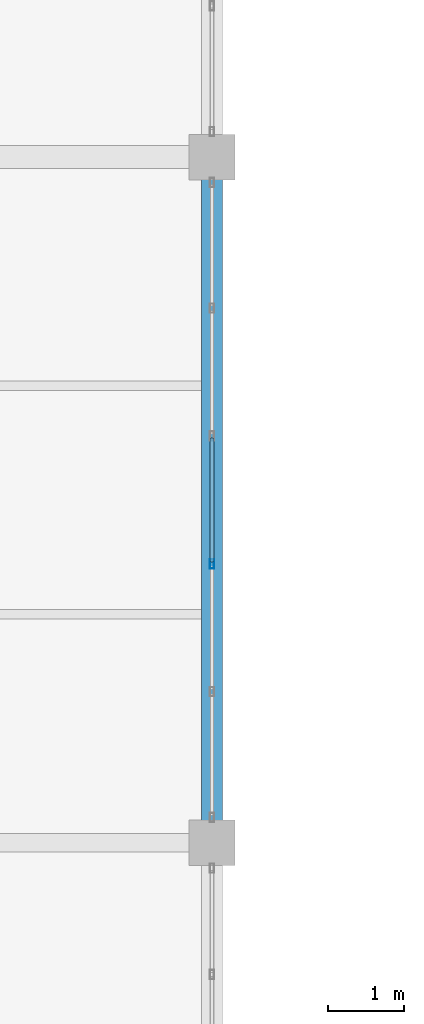
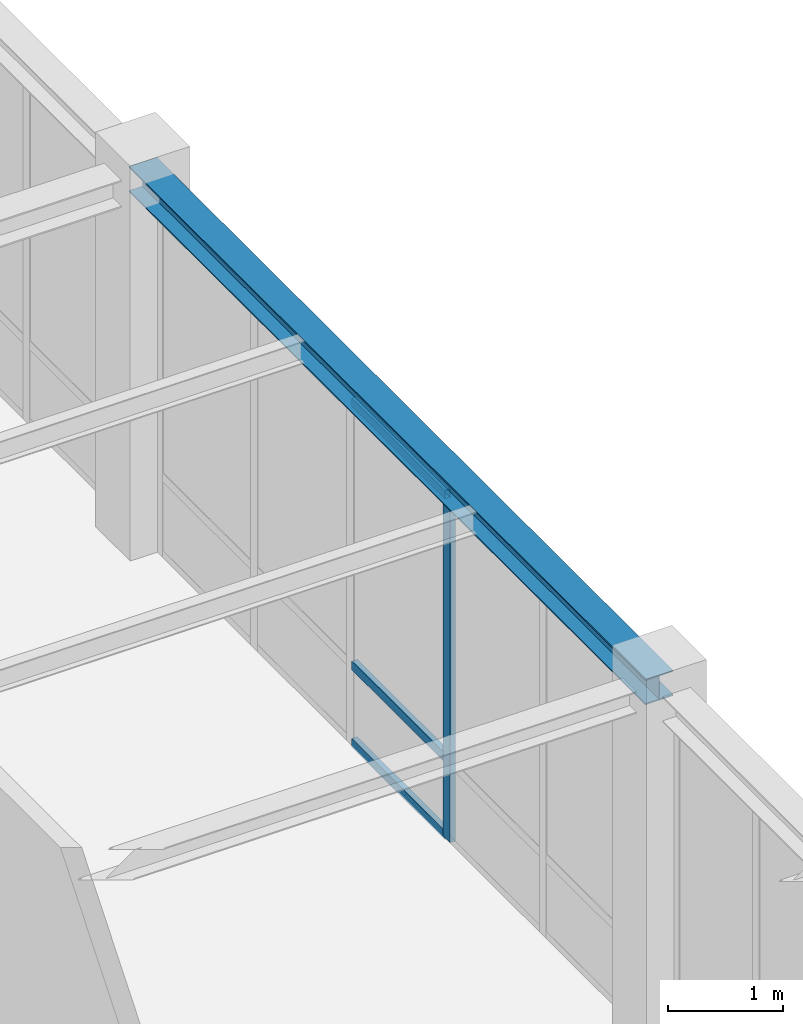
# One storey, part 22 of 97: 4 members, 1 beam, 1 element without a shape of its own.
"""IFC4 building model written with IfcOpenShell, lengths in metres."""

import ifcopenshell
import ifcopenshell.guid

model = None  # the IFC model being written
_history = None  # IfcOwnerHistory: only IFC2X3 demands one
_inside = {}  # id of a spatial element -> (the spatial element, [elements in it])
_under = {}  # id of a project, library or spatial element -> (it, [spatial elements below it])
_declared = {}  # id of a project -> (the project, [libraries it declares])
_typed = {}  # id of a type object -> (the type object, [elements of that type])
_made_of = {}  # id of a material, layer set ... -> (it, [elements and type objects made of it])


def new_model(schema):
    """Start an empty IFC model of exactly this schema.

    Asked for "IFC4X3", IfcOpenShell would pick the latest addendum, in which some entities
    have other attributes; the version numbers below select the first issue.
    IFC2X3 requires an IfcOwnerHistory on every rooted entity: one is made here for all.
    """
    global model, _history
    if schema == "IFC4X3":
        model = ifcopenshell.file(schema_version=(4, 3, 0, 0))
    else:
        model = ifcopenshell.file(schema=schema)
    _inside.clear()
    _under.clear()
    _declared.clear()
    _typed.clear()
    _made_of.clear()
    _history = None
    if model.schema == "IFC2X3":
        org = make("IfcOrganization", Name="unknown")
        user = make(
            "IfcPersonAndOrganization",
            ThePerson=make("IfcPerson", FamilyName="unknown"),
            TheOrganization=org,
        )
        app = make(
            "IfcApplication",
            ApplicationDeveloper=org,
            Version="unknown",
            ApplicationFullName="unknown",
            ApplicationIdentifier="unknown",
        )
        _history = make(
            "IfcOwnerHistory",
            OwningUser=user,
            OwningApplication=app,
            ChangeAction="ADDED",
            CreationDate=0,
        )
    return model


def make(cls, **values):
    """One entity of the class cls with the attributes given. An attribute that is None is left unset."""
    return model.create_entity(
        cls, **{name: value for name, value in values.items() if value is not None}
    )


def rooted(cls, **values):
    """An entity with a GlobalId (a new one), such as an element, a storey or a relation."""
    return make(cls, GlobalId=ifcopenshell.guid.new(), OwnerHistory=_history, **values)


def si_unit(unit_type, name, prefix=None):
    """IfcSIUnit, for example si_unit("LENGTHUNIT", "METRE", prefix="MILLI")."""
    return make("IfcSIUnit", UnitType=unit_type, Prefix=prefix, Name=name)


def assignment(units):
    """IfcUnitAssignment: the units of a project."""
    return None if units is None else make("IfcUnitAssignment", Units=units)


def point(xyz):
    """IfcCartesianPoint."""
    return None if xyz is None else make("IfcCartesianPoint", Coordinates=xyz)


def direction(xyz):
    """IfcDirection."""
    return None if xyz is None else make("IfcDirection", DirectionRatios=xyz)


def frame(location, z_axis=None, x_axis=None):
    """IfcAxis2Placement3D, a coordinate frame: its origin and axes. An axis left out is left unset."""
    return make(
        "IfcAxis2Placement3D",
        Location=point(location),
        Axis=direction(z_axis),
        RefDirection=direction(x_axis),
    )


def frame_2d(location, x_axis=None):
    """IfcAxis2Placement2D, a coordinate frame in the plane: its origin and x axis."""
    return make(
        "IfcAxis2Placement2D", Location=point(location), RefDirection=direction(x_axis)
    )


def origin():
    """The frame at (0, 0, 0) with its axes left unset."""
    return frame((0.0, 0.0, 0.0))


def origin_2d():
    """The frame at (0, 0) in the plane with its x axis left unset."""
    return frame_2d((0.0, 0.0))


def place(relative_to, where):
    """IfcLocalPlacement: puts the frame where relative to a parent placement (None: the world)."""
    return make(
        "IfcLocalPlacement", PlacementRelTo=relative_to, RelativePlacement=where
    )


def context(
    kind, dimensions, precision=None, world=None, true_north=None, identifier=None
):
    """IfcGeometricRepresentationContext, for example the 3D "Model" context."""
    return make(
        "IfcGeometricRepresentationContext",
        ContextIdentifier=identifier,
        ContextType=kind,
        CoordinateSpaceDimension=dimensions,
        Precision=precision,
        WorldCoordinateSystem=world,
        TrueNorth=true_north,
    )


def subcontext(parent, identifier, kind, view, scale=None):
    """IfcGeometricRepresentationSubContext, for example "Body" below "Model"."""
    return make(
        "IfcGeometricRepresentationSubContext",
        ContextIdentifier=identifier,
        ContextType=kind,
        ParentContext=parent,
        TargetScale=scale,
        TargetView=view,
    )


def project(units=None, contexts=None):
    """IfcProject with its units and contexts."""
    return rooted(
        "IfcProject",
        Name="project",
        RepresentationContexts=contexts,
        UnitsInContext=assignment(units),
    )


def spatial(cls, under=None, at=None, **own):
    """A site, building, storey or space (cls), placed at a placement, below another one or the project."""
    s = rooted(cls, ObjectPlacement=at, **own)
    if under is not None:
        _under.setdefault(under.id(), (under, []))[1].append(s)
    return s


def profile(cls, at=None, kind="AREA", **sizes):
    """A parametric profile (cls). Its sizes go by their IFC names, for example OverallWidth=200.0."""
    return make(cls, ProfileType=kind, Position=at, **sizes)


def hollow_rectangle(**sizes):
    """IfcRectangleHollowProfileDef."""
    return profile("IfcRectangleHollowProfileDef", **sizes)


def i_section(**sizes):
    """IfcIShapeProfileDef."""
    return profile("IfcIShapeProfileDef", **sizes)


def extrude(swept, where, along, depth):
    """IfcExtrudedAreaSolid: the profile swept, set in the frame where, extruded along a direction by depth."""
    return make(
        "IfcExtrudedAreaSolid",
        SweptArea=swept,
        Position=where,
        ExtrudedDirection=direction(along),
        Depth=depth,
    )


def shape(context_of_items, identifier, shape_type, items):
    """IfcShapeRepresentation: the items that make up one representation, for example the "Body"."""
    return make(
        "IfcShapeRepresentation",
        ContextOfItems=context_of_items,
        RepresentationIdentifier=identifier,
        RepresentationType=shape_type,
        Items=items,
    )


def material(Name=None, Category=None):
    """IfcMaterial."""
    return make("IfcMaterial", Name=Name, Category=Category)


def material_profile(
    of_material, cross_section, Name=None, Category=None, Priority=None
):
    """IfcMaterialProfile: a cross section and its material."""
    return make(
        "IfcMaterialProfile",
        Name=Name,
        Material=of_material,
        Profile=cross_section,
        Priority=Priority,
        Category=Category,
    )


def profile_set(profiles, Name=None, composite=None):
    """IfcMaterialProfileSet."""
    return make(
        "IfcMaterialProfileSet",
        Name=Name,
        MaterialProfiles=profiles,
        CompositeProfile=composite,
    )


def made_of(thing, what):
    """Note that an element or type object is made of a material, layer set ...; save() writes the relation."""
    if what is not None:
        _made_of.setdefault(what.id(), (what, []))[1].append(thing)
    return thing


def type_object(cls, material=None, **own):
    """A type object (cls), such as IfcWallType, which elements share."""
    return made_of(rooted(cls, **own), material)


def element(
    cls,
    number,
    at=None,
    inside=None,
    cuts=None,
    type_object=None,
    material=None,
    context=None,
    identifier="Body",
    shape_type=None,
    held_by="IfcProductDefinitionShape",
    body=None,
    shapes=None,
    **own,
):
    """One element of the class cls, such as IfcWall. Its Tag is "e" and its number.

    at: its placement. inside: the storey or other place that contains it. cuts: it is an
    opening in that element (IfcRelVoidsElement). A single representation is given by context,
    identifier, shape_type and body (its items); several are given by shapes. held_by: the class
    of the entity that holds the representations. save() writes the other relations.
    """
    e = rooted(cls, Tag="e%d" % number, ObjectPlacement=at, **own)
    if body is not None:
        shapes = [shape(context, identifier, shape_type, body)]
    if shapes is not None:
        e.Representation = make(held_by, Representations=shapes)
    if inside is not None:
        _inside.setdefault(inside.id(), (inside, []))[1].append(e)
    if cuts is not None:
        rooted(
            "IfcRelVoidsElement", RelatingBuildingElement=cuts, RelatedOpeningElement=e
        )
    if type_object is not None:
        _typed.setdefault(type_object.id(), (type_object, []))[1].append(e)
    return made_of(e, material)


def aggregate(whole, parts):
    """IfcRelAggregates: a whole, such as a stair, and the parts it consists of."""
    return rooted("IfcRelAggregates", RelatingObject=whole, RelatedObjects=parts)


def save(model, path):
    """Write the relations noted so far, then the file.

    IfcRelAggregates (storeys below a building ...), IfcRelContainedInSpatialStructure (elements
    in a storey), IfcRelDefinesByType, IfcRelAssociatesMaterial and IfcRelDeclares: one each for
    every whole, place, type object, material and project.
    """
    for whole, parts in _under.values():
        aggregate(whole, parts)
    for where, things in _inside.values():
        rooted(
            "IfcRelContainedInSpatialStructure",
            RelatedElements=things,
            RelatingStructure=where,
        )
    for kind, things in _typed.values():
        rooted("IfcRelDefinesByType", RelatedObjects=things, RelatingType=kind)
    for what, things in _made_of.values():
        rooted("IfcRelAssociatesMaterial", RelatedObjects=things, RelatingMaterial=what)
    for by, libraries in _declared.values():
        rooted("IfcRelDeclares", RelatingContext=by, RelatedDefinitions=libraries)
    model.write(path)


model = new_model("IFC4")

# Units and contexts
model_context = context("Model", 3, precision=1e-05, world=origin(), true_north=direction((0.0, 1.0)))
body_context = subcontext(model_context, "Body", "Model", "MODEL_VIEW")
ifc_project = project(units=[si_unit("LENGTHUNIT", "METRE"), si_unit("AREAUNIT", "SQUARE_METRE"), si_unit("VOLUMEUNIT", "CUBIC_METRE"), si_unit("PLANEANGLEUNIT", "RADIAN"), si_unit("MASSUNIT", "GRAM", prefix="KILO")], contexts=[model_context])

# Site, building, storey
site_placement = place(None, origin())
site = spatial("IfcSite", under=ifc_project, at=site_placement, CompositionType="ELEMENT")
building_placement = place(site_placement, origin())
building = spatial("IfcBuilding", under=site, at=building_placement, Name="Lykobir Media Centre", CompositionType="ELEMENT")
storey_placement = place(building_placement, frame((0.0, 0.0, 23.39990234375)))
storey = spatial("IfcBuildingStorey", under=building, at=storey_placement, Name="L05", CompositionType="ELEMENT", Elevation=23.39990234375)

# Beam
ifc_material_1 = material(Name="Steel S355", Category="steel")
ifc_material_profile_1 = material_profile(ifc_material_1, i_section(OverallWidth=0.280029296875, OverallDepth=0.27001953125, WebThickness=0.008056640625, FlangeThickness=0.012939453125, at=origin_2d()), Name="HEA 280")
ifc_profile_set_1 = profile_set([ifc_material_profile_1], Name="Steel S355")
beam_type = type_object("IfcBeamType", Name="BM-HEA280", PredefinedType="BEAM", material=ifc_profile_set_1)
beam_placement = place(storey_placement, frame((36.0, 27.0, 3.8251953125), z_axis=(0.0, 1.0, 0.0), x_axis=(-1.0, 0.0, 0.0)))
element("IfcBeam", 1, at=beam_placement, inside=storey, type_object=beam_type, Name="Beam BM-L05-0360-0270-0360-0360-2722", PredefinedType="BEAM", context=body_context, shape_type="SweptSolid", body=[
    extrude(i_section(OverallWidth=0.280029296875, OverallDepth=0.27001953125, WebThickness=0.008056640625, FlangeThickness=0.012939453125, at=origin_2d()), origin(), (0.0, 0.0, 1.0), 9.0),
])

# Curtain wall, members
ifc_material_2 = material(Name="Anodized Aluminium AW-6060", Category="aluminium")
curtain_wall_type = type_object("IfcCurtainWallType", Name="CW-COURT-B", PredefinedType="NOTDEFINED", material=ifc_material_2)
curtain_wall_placement = place(storey_placement, origin())
curtain_wall = element("IfcCurtainWall", 2, at=curtain_wall_placement, inside=storey, type_object=curtain_wall_type, Name="Curtain wall CW2-L05-0195", PredefinedType="NOTDEFINED")
ifc_material_profile_2 = material_profile(ifc_material_2, hollow_rectangle(XDim=0.054931640625, YDim=0.1201171875, WallThickness=0.003173828125, at=origin_2d()), Name="ALU MULLION 55x120")
ifc_profile_set_2 = profile_set([ifc_material_profile_2], Name="Anodized Aluminium AW-6060")
member_type_1 = type_object("IfcMemberType", Name="CWM-120", PredefinedType="MULLION", material=ifc_profile_set_2)
member_1_placement = place(storey_placement, frame((36.0, 30.660888671875, 0.0), z_axis=(0.0, 0.0, 1.0), x_axis=(1.0, 0.0, 0.0)))
member_1 = element("IfcMember", 3, at=member_1_placement, type_object=member_type_1, Name="CW2-L05-0195 mullion 4", PredefinedType="MULLION", context=body_context, shape_type="SweptSolid", body=[
    extrude(hollow_rectangle(XDim=0.054931640625, YDim=0.1201171875, WallThickness=0.003173828125, at=origin_2d()), origin(), (0.0, 0.0, 1.0), 3.675048828125),
])
ifc_material_profile_3 = material_profile(ifc_material_2, hollow_rectangle(XDim=0.054931640625, YDim=0.094970703125, WallThickness=0.0029296875, at=origin_2d()), Name="ALU TRANSOM 55x95")
ifc_profile_set_3 = profile_set([ifc_material_profile_3], Name="Anodized Aluminium AW-6060")
member_type_2 = type_object("IfcMemberType", Name="CWT-095", PredefinedType="USERDEFINED", material=ifc_profile_set_3)
member_2_placement = place(storey_placement, frame((36.0, 32.3115234375, 0.027587890625), z_axis=(0.0, -1.0, 0.0), x_axis=(1.0, 0.0, 0.0)))
member_2 = element("IfcMember", 4, at=member_2_placement, type_object=member_type_2, Name="CW2-L05-0195 transom 3.1", ObjectType="TRANSOM", PredefinedType="USERDEFINED", context=body_context, shape_type="SweptSolid", body=[
    extrude(hollow_rectangle(XDim=0.054931640625, YDim=0.094970703125, WallThickness=0.0029296875, at=origin_2d()), origin(), (0.0, 0.0, 1.0), 1.623046875),
])
member_3_placement = place(storey_placement, frame((36.0, 32.3115234375, 0.85009765625), z_axis=(0.0, -1.0, 0.0), x_axis=(1.0, 0.0, 0.0)))
member_3 = element("IfcMember", 5, at=member_3_placement, type_object=member_type_2, Name="CW2-L05-0195 transom 3.2", ObjectType="TRANSOM", PredefinedType="USERDEFINED", context=body_context, shape_type="SweptSolid", body=[
    extrude(hollow_rectangle(XDim=0.054931640625, YDim=0.094970703125, WallThickness=0.0029296875, at=origin_2d()), origin(), (0.0, 0.0, 1.0), 1.623046875),
])
member_4_placement = place(storey_placement, frame((36.0, 32.3115234375, 3.647705078125), z_axis=(0.0, -1.0, 0.0), x_axis=(1.0, 0.0, 0.0)))
member_4 = element("IfcMember", 6, at=member_4_placement, type_object=member_type_2, Name="CW2-L05-0195 transom 3.3", ObjectType="TRANSOM", PredefinedType="USERDEFINED", context=body_context, shape_type="SweptSolid", body=[
    extrude(hollow_rectangle(XDim=0.054931640625, YDim=0.094970703125, WallThickness=0.0029296875, at=origin_2d()), origin(), (0.0, 0.0, 1.0), 1.623046875),
])
aggregate(curtain_wall, [member_1, member_2, member_3, member_4])

save(model, "model.ifc")
